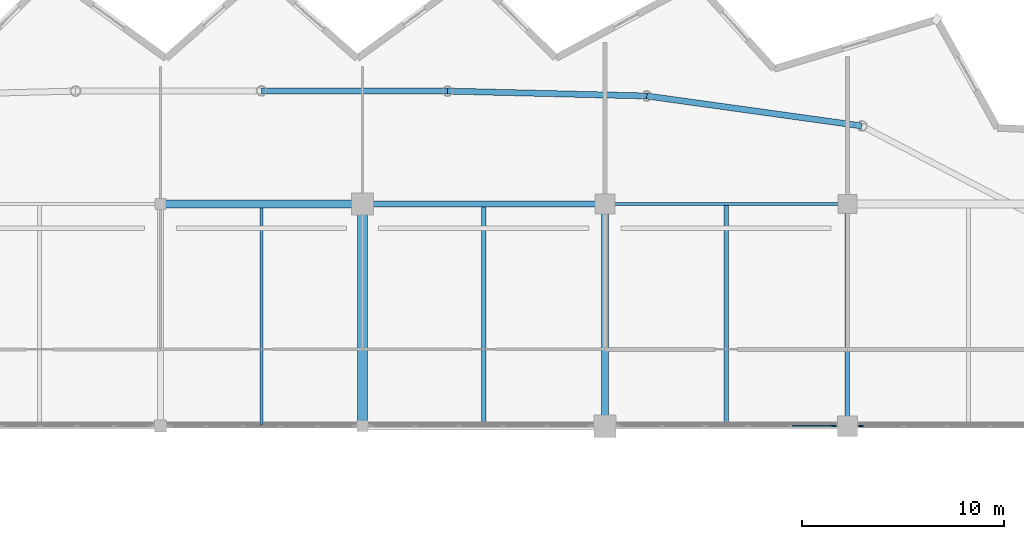
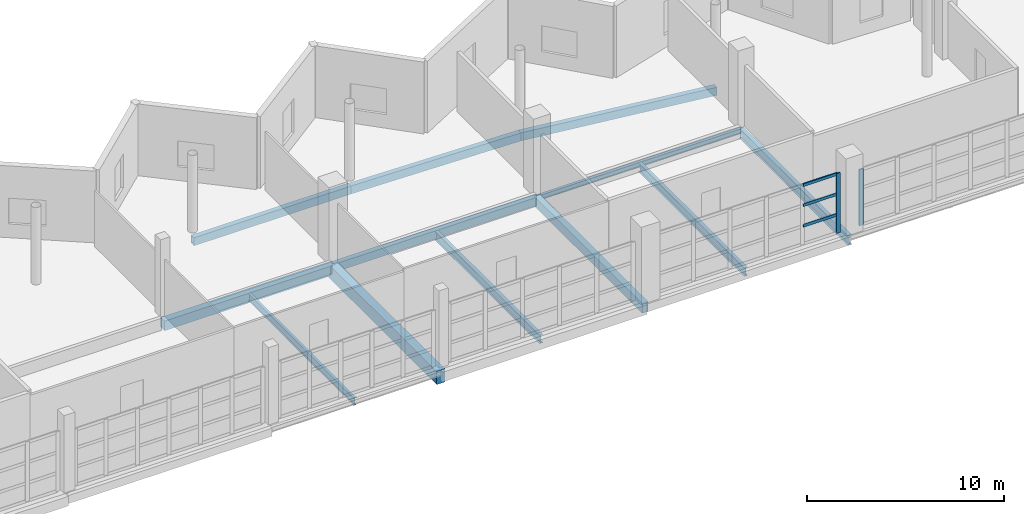
# One storey, part 26 of 53: 12 beams, 5 members, 2 elements without a shape of their own.
"""IFC4 building model written with IfcOpenShell, lengths in metres."""

from ifc_helpers import new_model, si_unit, direction, frame, origin, origin_2d, place, context, subcontext, project, spatial, rectangle, hollow_rectangle, i_section, extrude, material, material_profile, profile_set, type_object, element, aggregate, save


model = new_model("IFC4")

# Units and contexts
model_context = context("Model", 3, precision=1e-05, world=origin(), true_north=direction((0.0, 1.0)))
body_context = subcontext(model_context, "Body", "Model", "MODEL_VIEW")
ifc_project = project(units=[si_unit("LENGTHUNIT", "METRE"), si_unit("AREAUNIT", "SQUARE_METRE"), si_unit("VOLUMEUNIT", "CUBIC_METRE"), si_unit("PLANEANGLEUNIT", "RADIAN"), si_unit("MASSUNIT", "GRAM", prefix="KILO")], contexts=[model_context])

# Site, building, storey
site_placement = place(None, origin())
site = spatial("IfcSite", under=ifc_project, at=site_placement, CompositionType="ELEMENT")
building_placement = place(site_placement, origin())
building = spatial("IfcBuilding", under=site, at=building_placement, Name="Luwafu Chhajja Arena", CompositionType="ELEMENT")
storey_placement = place(building_placement, frame((0.0, 0.0, 19.5)))
storey = spatial("IfcBuildingStorey", under=building, at=storey_placement, Name="L04", CompositionType="ELEMENT", Elevation=19.5)

# Beam
ifc_material_1 = material(Name="Concrete C35/45", Category="concrete")
ifc_material_profile_1 = material_profile(ifc_material_1, rectangle(XDim=0.35009765625, YDim=0.60009765625, at=origin_2d()), Name="RC 350x600")
ifc_profile_set_1 = profile_set([ifc_material_profile_1], Name="Concrete C35/45")
beam_type_1 = type_object("IfcBeamType", Name="Arcade Tie Beam RC 350x600", PredefinedType="BEAM", material=ifc_profile_set_1)
beam_1_placement = place(storey_placement, frame((116.0, 77.0, -0.68994140625), z_axis=(0.0, 1.0, 0.0), x_axis=(-1.0, 0.0, 0.0)))
element("IfcBeam", 1, at=beam_1_placement, inside=storey, type_object=beam_type_1, Name="L04 Grid Beam 11/H-J", PredefinedType="BEAM", context=body_context, shape_type="SweptSolid", body=[
    extrude(rectangle(XDim=0.35009765625, YDim=0.60009765625, at=origin_2d()), origin(), (0.0, 0.0, 1.0), 11.0),
])

# Curtain wall, member
ifc_material_2 = material(Name="Anodised bronze aluminium", Category="aluminium")
curtain_wall_type = type_object("IfcCurtainWallType", Name="Media Ribbon Curtain Wall", PredefinedType="USERDEFINED", material=ifc_material_2)
curtain_wall_1_placement = place(storey_placement, origin())
curtain_wall_1 = element("IfcCurtainWall", 2, at=curtain_wall_1_placement, inside=storey, type_object=curtain_wall_type, Name="L04 Bowl Viewing Curtain Wall CWR-L04-13", ObjectType="CURTAIN WALL", PredefinedType="USERDEFINED")
ifc_material_profile_2 = material_profile(ifc_material_2, rectangle(XDim=0.070068359375, YDim=0.239990234375, at=origin_2d()), Name="CWM 70x240")
ifc_profile_set_2 = profile_set([ifc_material_profile_2], Name="Anodised bronze aluminium")
member_type_1 = type_object("IfcMemberType", Name="Bronze Curtain Wall Mullion 70x240", PredefinedType="MULLION", material=ifc_profile_set_2)
member_1_placement = place(storey_placement, frame((127.324951171875, 77.0, 0.0), z_axis=(0.0, 0.0, 1.0), x_axis=(0.0, 1.0, 0.0)))
member_1 = element("IfcMember", 3, at=member_1_placement, type_object=member_type_1, Name="CW-03 mullion 6", PredefinedType="MULLION", context=body_context, shape_type="SweptSolid", body=[
    extrude(rectangle(XDim=0.070068359375, YDim=0.239990234375, at=origin_2d()), origin(), (0.0, 0.0, 1.0), 3.70654296875),
])

curtain_wall_2_placement = place(storey_placement, origin())
curtain_wall_2 = element("IfcCurtainWall", 4, at=curtain_wall_2_placement, inside=storey, type_object=curtain_wall_type, Name="L04 Bowl Viewing Curtain Wall CWR-L04-14", ObjectType="CURTAIN WALL", PredefinedType="USERDEFINED")
member_2_placement = place(storey_placement, frame((128.675048828125, 77.0, 0.0), z_axis=(0.0, 0.0, 1.0), x_axis=(0.0, 1.0, 0.0)))
member_2 = element("IfcMember", 5, at=member_2_placement, type_object=member_type_1, Name="CW-03 mullion 1", PredefinedType="MULLION", context=body_context, shape_type="SweptSolid", body=[
    extrude(rectangle(XDim=0.070068359375, YDim=0.239990234375, at=origin_2d()), origin(), (0.0, 0.0, 1.0), 3.489990234375),
])
aggregate(curtain_wall_2, [member_2])

# Member
ifc_material_profile_3 = material_profile(ifc_material_2, rectangle(XDim=0.070068359375, YDim=0.179931640625, at=origin_2d()), Name="CWT 70x180")
ifc_profile_set_3 = profile_set([ifc_material_profile_3], Name="Anodised bronze aluminium")
member_type_2 = type_object("IfcMemberType", Name="Bronze Curtain Wall Transom 70x180", PredefinedType="USERDEFINED", material=ifc_profile_set_3)
member_3_placement = place(storey_placement, frame((125.260986328125, 77.0, 1.14990234375), z_axis=(1.0, 0.0, 0.0), x_axis=(0.0, 1.0, 0.0)))
member_3 = element("IfcMember", 6, at=member_3_placement, type_object=member_type_2, Name="CW-03 transom 5.2", ObjectType="TRANSOM", PredefinedType="USERDEFINED", context=body_context, shape_type="SweptSolid", body=[
    extrude(rectangle(XDim=0.070068359375, YDim=0.179931640625, at=origin_2d()), origin(), (0.0, 0.0, 1.0), 2.029052734375),
])

member_4_placement = place(storey_placement, frame((125.260986328125, 77.0, 2.42822265625), z_axis=(1.0, 0.0, 0.0), x_axis=(0.0, 1.0, 0.0)))
member_4 = element("IfcMember", 7, at=member_4_placement, type_object=member_type_2, Name="CW-03 transom 5.3", ObjectType="TRANSOM", PredefinedType="USERDEFINED", context=body_context, shape_type="SweptSolid", body=[
    extrude(rectangle(XDim=0.070068359375, YDim=0.179931640625, at=origin_2d()), origin(), (0.0, 0.0, 1.0), 2.029052734375),
])

member_5_placement = place(storey_placement, frame((125.260986328125, 77.0, 3.67138671875), z_axis=(1.0, 0.0, 0.0), x_axis=(0.0, 1.0, 0.0)))
member_5 = element("IfcMember", 8, at=member_5_placement, type_object=member_type_2, Name="CW-03 transom 5.4", ObjectType="TRANSOM", PredefinedType="USERDEFINED", context=body_context, shape_type="SweptSolid", body=[
    extrude(rectangle(XDim=0.070068359375, YDim=0.179931640625, at=origin_2d()), origin(), (0.0, 0.0, 1.0), 2.029052734375),
])

aggregate(curtain_wall_1, [member_1, member_3, member_4, member_5])

# Beams
ifc_material_3 = material(Name="Steel S355", Category="steel")
ifc_material_profile_4 = material_profile(ifc_material_3, i_section(OverallWidth=0.165771484375, OverallDepth=0.306640625, WebThickness=0.006591796875, FlangeThickness=0.01171875, at=origin_2d()), Name="UB 305x165x46")
ifc_profile_set_4 = profile_set([ifc_material_profile_4], Name="Steel S355")
beam_type_2 = type_object("IfcBeamType", Name="Concourse Edge Spandrel Beam UB 305x165x46", PredefinedType="SPANDREL", material=ifc_profile_set_4)
beam_2_placement = place(storey_placement, frame((116.0, 88.0, -0.543212890625), z_axis=(1.0, 0.0, 0.0), x_axis=(0.0, 1.0, 0.0)))
element("IfcBeam", 9, at=beam_2_placement, inside=storey, type_object=beam_type_2, Name="L04 Grid Beam 11-12/J", PredefinedType="SPANDREL", context=body_context, shape_type="SweptSolid", body=[
    extrude(i_section(OverallWidth=0.165771484375, OverallDepth=0.306640625, WebThickness=0.006591796875, FlangeThickness=0.01171875, at=origin_2d()), origin(), (0.0, 0.0, 1.0), 12.0),
])
ifc_material_profile_5 = material_profile(ifc_material_3, i_section(OverallWidth=0.15283203125, OverallDepth=0.45458984375, WebThickness=0.008056640625, FlangeThickness=0.01318359375, at=origin_2d()), Name="UB 457x152x60")
ifc_profile_set_5 = profile_set([ifc_material_profile_5], Name="Steel S355")
beam_type_3 = type_object("IfcBeamType", Name="Floor Joist UB 457x152x60", PredefinedType="JOIST", material=ifc_profile_set_5)
beam_3_placement = place(storey_placement, frame((99.0, 77.082763671875, -0.6171875), z_axis=(0.0, 1.0, 0.0), x_axis=(-1.0, 0.0, 0.0)))
element("IfcBeam", 10, at=beam_3_placement, inside=storey, type_object=beam_type_3, Name="L04 Secondary Joist 9-10/H", PredefinedType="JOIST", context=body_context, shape_type="SweptSolid", body=[
    extrude(i_section(OverallWidth=0.15283203125, OverallDepth=0.45458984375, WebThickness=0.008056640625, FlangeThickness=0.01318359375, at=origin_2d()), origin(), (0.0, 0.0, 1.0), 10.71728515625),
])
ifc_material_profile_6 = material_profile(ifc_material_3, i_section(OverallWidth=0.2099609375, OverallDepth=0.53662109375, WebThickness=0.0107421875, FlangeThickness=0.017333984375, at=origin_2d()), Name="UB 533x210x101")
ifc_profile_set_6 = profile_set([ifc_material_profile_6], Name="Steel S355")
beam_type_4 = type_object("IfcBeamType", Name="Floor Joist UB 533x210x101", PredefinedType="JOIST", material=ifc_profile_set_6)
beam_4_placement = place(storey_placement, frame((110.0, 77.199951171875, -0.658447265625), z_axis=(0.0, 1.0, 0.0), x_axis=(-1.0, 0.0, 0.0)))
element("IfcBeam", 11, at=beam_4_placement, inside=storey, type_object=beam_type_4, Name="L04 Secondary Joist 10-11/H", PredefinedType="JOIST", context=body_context, shape_type="SweptSolid", body=[
    extrude(i_section(OverallWidth=0.2099609375, OverallDepth=0.53662109375, WebThickness=0.0107421875, FlangeThickness=0.017333984375, at=origin_2d()), origin(), (0.0, 0.0, 1.0), 10.650146484375),
])
ifc_material_profile_7 = material_profile(ifc_material_3, i_section(OverallWidth=0.209228515625, OverallDepth=0.533203125, WebThickness=0.010009765625, FlangeThickness=0.015625, at=origin_2d()), Name="UB 533x210x92")
ifc_profile_set_7 = profile_set([ifc_material_profile_7], Name="Steel S355")
beam_type_5 = type_object("IfcBeamType", Name="Floor Joist UB 533x210x92", PredefinedType="JOIST", material=ifc_profile_set_7)
beam_5_placement = place(storey_placement, frame((122.0, 77.14990234375, -0.656494140625), z_axis=(0.0, 1.0, 0.0), x_axis=(-1.0, 0.0, 0.0)))
element("IfcBeam", 12, at=beam_5_placement, inside=storey, type_object=beam_type_5, Name="L04 Secondary Joist 11-12/H", PredefinedType="JOIST", context=body_context, shape_type="SweptSolid", body=[
    extrude(i_section(OverallWidth=0.209228515625, OverallDepth=0.533203125, WebThickness=0.010009765625, FlangeThickness=0.015625, at=origin_2d()), origin(), (0.0, 0.0, 1.0), 10.767333984375),
])
ifc_material_profile_8 = material_profile(ifc_material_1, rectangle(XDim=0.5, YDim=0.800048828125, at=origin_2d()), Name="RC 500x800")
ifc_profile_set_8 = profile_set([ifc_material_profile_8], Name="Concrete C35/45")
beam_type_6 = type_object("IfcBeamType", Name="Hospitality Primary Beam RC 500x800", PredefinedType="BEAM", material=ifc_profile_set_8)
beam_6_placement = place(storey_placement, frame((104.0, 77.0, -0.7900390625), z_axis=(0.0, 1.0, 0.0), x_axis=(-1.0, 0.0, 0.0)))
element("IfcBeam", 13, at=beam_6_placement, inside=storey, type_object=beam_type_6, Name="L04 Grid Beam 10/H-J", PredefinedType="BEAM", context=body_context, shape_type="SweptSolid", body=[
    extrude(rectangle(XDim=0.5, YDim=0.800048828125, at=origin_2d()), origin(), (0.0, 0.0, 1.0), 11.0),
])
ifc_material_profile_9 = material_profile(ifc_material_3, hollow_rectangle(XDim=0.300048828125, YDim=0.5, WallThickness=0.02001953125, at=origin_2d()), Name="RHS 500x300x20")
ifc_profile_set_9 = profile_set([ifc_material_profile_9], Name="Steel S355")
beam_type_7 = type_object("IfcBeamType", Name="Pleated Drum Spandrel Beam RHS 500x300", PredefinedType="SPANDREL", material=ifc_profile_set_9)
beam_7_placement = place(storey_placement, frame((104.0, 88.0, -0.639892578125), z_axis=(1.0, 0.0, 0.0), x_axis=(0.0, 1.0, 0.0)))
element("IfcBeam", 14, at=beam_7_placement, inside=storey, type_object=beam_type_7, Name="L04 Grid Beam 10-11/J", PredefinedType="SPANDREL", context=body_context, shape_type="SweptSolid", body=[
    extrude(hollow_rectangle(XDim=0.300048828125, YDim=0.5, WallThickness=0.02001953125, at=origin_2d()), origin(), (0.0, 0.0, 1.0), 12.0),
])
beam_8_placement = place(storey_placement, frame((128.718017578125, 91.86279296875, -0.639892578125), z_axis=(-0.990458730054, 0.137809666058, 0.0), x_axis=(-0.137809666058, -0.990458730054, 0.0)))
element("IfcBeam", 15, at=beam_8_placement, inside=storey, type_object=beam_type_7, Name="L04 Drum Ring Spandrel D06-D07", PredefinedType="SPANDREL", context=body_context, shape_type="SweptSolid", body=[
    extrude(hollow_rectangle(XDim=0.300048828125, YDim=0.5, WallThickness=0.02001953125, at=origin_2d()), origin(), (0.0, 0.0, 1.0), 10.75341796875),
])
beam_9_placement = place(storey_placement, frame((118.067138671875, 93.3447265625, -0.639892578125), z_axis=(-0.999695420837, 0.024679253567, 0.0), x_axis=(-0.024679253567, -0.999695420837, 0.0)))
element("IfcBeam", 16, at=beam_9_placement, inside=storey, type_object=beam_type_7, Name="L04 Drum Ring Spandrel D07-D08", PredefinedType="SPANDREL", context=body_context, shape_type="SweptSolid", body=[
    extrude(hollow_rectangle(XDim=0.300048828125, YDim=0.5, WallThickness=0.02001953125, at=origin_2d()), origin(), (0.0, 0.0, 1.0), 9.86279296875),
])
beam_10_placement = place(storey_placement, frame((108.207275390625, 93.588134765625, -0.639892578125), z_axis=(-0.999999155928, 0.001299285621, 0.0), x_axis=(-0.001299285621, -0.999999155928, 0.0)))
element("IfcBeam", 17, at=beam_10_placement, inside=storey, type_object=beam_type_7, Name="L04 Drum Ring Spandrel D08-D09", PredefinedType="SPANDREL", context=body_context, shape_type="SweptSolid", body=[
    extrude(hollow_rectangle(XDim=0.300048828125, YDim=0.5, WallThickness=0.02001953125, at=origin_2d()), origin(), (0.0, 0.0, 1.0), 9.207275390625),
])
ifc_material_profile_10 = material_profile(ifc_material_1, rectangle(XDim=0.39990234375, YDim=0.60009765625, at=origin_2d()), Name="RC 400x600")
ifc_profile_set_10 = profile_set([ifc_material_profile_10], Name="Concrete C35/45")
beam_type_8 = type_object("IfcBeamType", Name="Podium Perimeter Spandrel RC 400x600", PredefinedType="SPANDREL", material=ifc_profile_set_10)
beam_11_placement = place(storey_placement, frame((94.0, 88.0, -0.68994140625), z_axis=(1.0, 0.0, 0.0), x_axis=(0.0, 1.0, 0.0)))
element("IfcBeam", 18, at=beam_11_placement, inside=storey, type_object=beam_type_8, Name="L04 Grid Beam 9-10/J", PredefinedType="SPANDREL", context=body_context, shape_type="SweptSolid", body=[
    extrude(rectangle(XDim=0.39990234375, YDim=0.60009765625, at=origin_2d()), origin(), (0.0, 0.0, 1.0), 10.0),
])
ifc_material_profile_11 = material_profile(ifc_material_3, i_section(OverallWidth=0.22900390625, OverallDepth=0.6123046875, WebThickness=0.011962890625, FlangeThickness=0.01953125, at=origin_2d()), Name="UB 610x229x125")
ifc_profile_set_11 = profile_set([ifc_material_profile_11], Name="Steel S355")
beam_type_9 = type_object("IfcBeamType", Name="Steel Mezzanine Girder UB 610x229x125", PredefinedType="BEAM", material=ifc_profile_set_11)
beam_12_placement = place(storey_placement, frame((128.0, 77.0, -0.696044921875), z_axis=(0.0, 1.0, 0.0), x_axis=(-1.0, 0.0, 0.0)))
element("IfcBeam", 19, at=beam_12_placement, inside=storey, type_object=beam_type_9, Name="L04 Grid Beam 12/H-J", PredefinedType="BEAM", context=body_context, shape_type="SweptSolid", body=[
    extrude(i_section(OverallWidth=0.22900390625, OverallDepth=0.6123046875, WebThickness=0.011962890625, FlangeThickness=0.01953125, at=origin_2d()), origin(), (0.0, 0.0, 1.0), 11.0),
])

save(model, "model.ifc")
